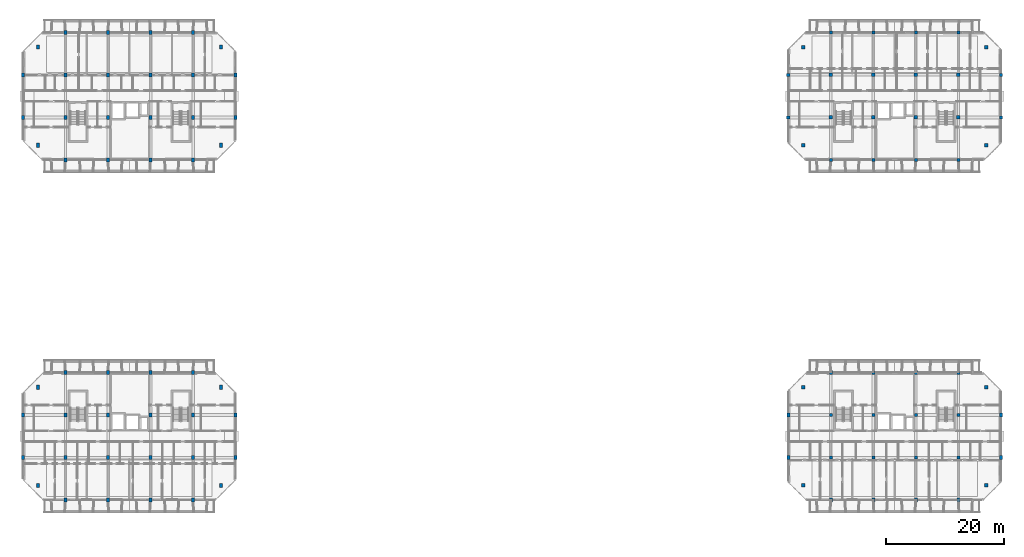
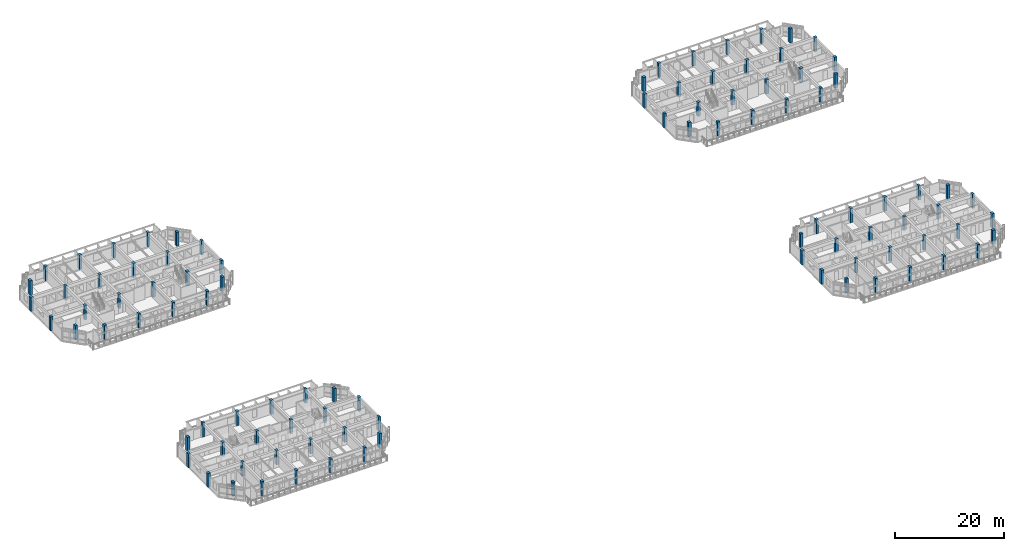
# One storey, part 1 of 43: 96 columns.
"""IFC4 building model written with IfcOpenShell, lengths in metres."""

from ifc_helpers import new_model, si_unit, direction, frame, origin, origin_2d, place, context, subcontext, project, spatial, rectangle, extrude, material, material_profile, profile_set, type_object, element, save


model = new_model("IFC4")

# Units and contexts
model_context = context("Model", 3, precision=1e-05, world=origin(), true_north=direction((0.0, 1.0)))
body_context = subcontext(model_context, "Body", "Model", "MODEL_VIEW")
ifc_project = project(units=[si_unit("LENGTHUNIT", "METRE"), si_unit("AREAUNIT", "SQUARE_METRE"), si_unit("VOLUMEUNIT", "CUBIC_METRE"), si_unit("PLANEANGLEUNIT", "RADIAN"), si_unit("MASSUNIT", "GRAM", prefix="KILO")], contexts=[model_context])

# Site, building, storey
site_placement = place(None, origin())
site = spatial("IfcSite", under=ifc_project, at=site_placement, CompositionType="ELEMENT")
building_placement = place(site_placement, origin())
building = spatial("IfcBuilding", under=site, at=building_placement, Name="Ochrevale Crest", CompositionType="ELEMENT")
storey_placement = place(building_placement, frame((0.0, 0.0, 15.0)))
storey = spatial("IfcBuildingStorey", under=building, at=storey_placement, Name="L04", CompositionType="ELEMENT", Elevation=15.0)

# Columns
ifc_material = material(Name="Precast concrete C50/60", Category="concrete")
ifc_material_profile_1 = material_profile(ifc_material, rectangle(XDim=0.5, YDim=0.64990234375, at=origin_2d()), Name="RC 500x650")
ifc_profile_set_1 = profile_set([ifc_material_profile_1], Name="Precast concrete C50/60")
column_type_1 = type_object("IfcColumnType", Name="COL-RC500x650", PredefinedType="COLUMN", material=ifc_profile_set_1)
for number, where, z_axis, x_axis, name in (
    (1, (0.0, 21.60009765625, 0.0), (0.0, 0.0, 1.0), (1.0, 0.0, 0.0), "Block A L04 column (0.0,21.6)"),
    (2, (0.0, 28.800048828125, 0.0), (0.0, 0.0, 1.0), (1.0, 0.0, 0.0), "Block A L04 column (0.0,28.8)"),
    (3, (7.199951171875, 14.39990234375, 0.0), (0.0, 0.0, 1.0), (1.0, 0.0, 0.0), "Block A L04 column (7.2,14.4)"),
    (4, (7.199951171875, 36.0, 0.0), (0.0, 0.0, 1.0), (1.0, 0.0, 0.0), "Block A L04 column (7.2,36.0)"),
    (5, (14.39990234375, 14.39990234375, 0.0), (0.0, 0.0, 1.0), (1.0, 0.0, 0.0), "Block A L04 column (14.4,14.4)"),
    (6, (14.39990234375, 36.0, 0.0), (0.0, 0.0, 1.0), (1.0, 0.0, 0.0), "Block A L04 column (14.4,36.0)"),
    (7, (21.60009765625, 14.39990234375, 0.0), (0.0, 0.0, 1.0), (1.0, 0.0, 0.0), "Block A L04 column (21.6,14.4)"),
    (8, (21.60009765625, 36.0, 0.0), (0.0, 0.0, 1.0), (1.0, 0.0, 0.0), "Block A L04 column (21.6,36.0)"),
    (9, (28.800048828125, 14.39990234375, 0.0), (0.0, 0.0, 1.0), (1.0, 0.0, 0.0), "Block A L04 column (28.8,14.4)"),
    (10, (28.800048828125, 36.0, 0.0), (0.0, 0.0, 1.0), (1.0, 0.0, 0.0), "Block A L04 column (28.8,36.0)"),
    (11, (36.0, 21.60009765625, 0.0), (0.0, 0.0, 1.0), (1.0, 0.0, 0.0), "Block A L04 column (36.0,21.6)"),
    (12, (36.0, 28.800048828125, 0.0), (0.0, 0.0, 1.0), (1.0, 0.0, 0.0), "Block A L04 column (36.0,28.8)"),
    (13, (0.0, 79.199951171875, 0.0), (0.0, 0.0, 1.0), (1.0, 0.0, 0.0), "Block B L04 column (0.0,79.2)"),
    (14, (0.0, 86.39990234375, 0.0), (0.0, 0.0, 1.0), (1.0, 0.0, 0.0), "Block B L04 column (0.0,86.4)"),
    (15, (7.199951171875, 72.0, 0.0), (0.0, 0.0, 1.0), (1.0, 0.0, 0.0), "Block B L04 column (7.2,72.0)"),
    (16, (7.199951171875, 93.60009765625, 0.0), (0.0, 0.0, 1.0), (1.0, 0.0, 0.0), "Block B L04 column (7.2,93.6)"),
    (17, (14.39990234375, 72.0, 0.0), (0.0, 0.0, 1.0), (1.0, 0.0, 0.0), "Block B L04 column (14.4,72.0)"),
    (18, (14.39990234375, 93.60009765625, 0.0), (0.0, 0.0, 1.0), (1.0, 0.0, 0.0), "Block B L04 column (14.4,93.6)"),
    (19, (21.60009765625, 72.0, 0.0), (0.0, 0.0, 1.0), (1.0, 0.0, 0.0), "Block B L04 column (21.6,72.0)"),
    (20, (21.60009765625, 93.60009765625, 0.0), (0.0, 0.0, 1.0), (1.0, 0.0, 0.0), "Block B L04 column (21.6,93.6)"),
    (21, (28.800048828125, 72.0, 0.0), (0.0, 0.0, 1.0), (1.0, 0.0, 0.0), "Block B L04 column (28.8,72.0)"),
    (22, (28.800048828125, 93.60009765625, 0.0), (0.0, 0.0, 1.0), (1.0, 0.0, 0.0), "Block B L04 column (28.8,93.6)"),
    (23, (36.0, 79.199951171875, 0.0), (0.0, 0.0, 1.0), (1.0, 0.0, 0.0), "Block B L04 column (36.0,79.2)"),
    (24, (36.0, 86.39990234375, 0.0), (0.0, 0.0, 1.0), (1.0, 0.0, 0.0), "Block B L04 column (36.0,86.4)"),
):
    element("IfcColumn", number, at=place(storey_placement, frame(where, z_axis=z_axis, x_axis=x_axis)), inside=storey, type_object=column_type_1, Name=name, PredefinedType="COLUMN", context=body_context, shape_type="SweptSolid", body=[
        extrude(rectangle(XDim=0.5, YDim=0.64990234375, at=origin_2d()), origin(), (0.0, 0.0, 1.0), 3.14990234375),
    ])
ifc_material_profile_2 = material_profile(ifc_material, rectangle(XDim=0.5, YDim=0.699951171875, at=origin_2d()), Name="RC 500x700")
ifc_profile_set_2 = profile_set([ifc_material_profile_2], Name="Precast concrete C50/60")
column_type_2 = type_object("IfcColumnType", Name="COL-RC500x700", PredefinedType="COLUMN", material=ifc_profile_set_2)
for number, where, z_axis, x_axis, name in (
    (25, (2.5, 16.89990234375, 0.0), (0.0, 0.0, 1.0), (1.0, 0.0, 0.0), "Block A L04 column (2.5,16.9)"),
    (26, (2.5, 33.5, 0.0), (0.0, 0.0, 1.0), (1.0, 0.0, 0.0), "Block A L04 column (2.5,33.5)"),
    (27, (7.199951171875, 21.60009765625, 0.0), (0.0, 0.0, 1.0), (1.0, 0.0, 0.0), "Block A L04 column (7.2,21.6)"),
    (28, (7.199951171875, 28.800048828125, 0.0), (0.0, 0.0, 1.0), (1.0, 0.0, 0.0), "Block A L04 column (7.2,28.8)"),
    (29, (14.39990234375, 21.60009765625, 0.0), (0.0, 0.0, 1.0), (1.0, 0.0, 0.0), "Block A L04 column (14.4,21.6)"),
    (30, (14.39990234375, 28.800048828125, 0.0), (0.0, 0.0, 1.0), (1.0, 0.0, 0.0), "Block A L04 column (14.4,28.8)"),
    (31, (21.60009765625, 21.60009765625, 0.0), (0.0, 0.0, 1.0), (1.0, 0.0, 0.0), "Block A L04 column (21.6,21.6)"),
    (32, (21.60009765625, 28.800048828125, 0.0), (0.0, 0.0, 1.0), (1.0, 0.0, 0.0), "Block A L04 column (21.6,28.8)"),
    (33, (28.800048828125, 21.60009765625, 0.0), (0.0, 0.0, 1.0), (1.0, 0.0, 0.0), "Block A L04 column (28.8,21.6)"),
    (34, (28.800048828125, 28.800048828125, 0.0), (0.0, 0.0, 1.0), (1.0, 0.0, 0.0), "Block A L04 column (28.8,28.8)"),
    (35, (33.5, 16.89990234375, 0.0), (0.0, 0.0, 1.0), (1.0, 0.0, 0.0), "Block A L04 column (33.5,16.9)"),
    (36, (33.5, 33.5, 0.0), (0.0, 0.0, 1.0), (1.0, 0.0, 0.0), "Block A L04 column (33.5,33.5)"),
    (37, (2.5, 74.5, 0.0), (0.0, 0.0, 1.0), (1.0, 0.0, 0.0), "Block B L04 column (2.5,74.5)"),
    (38, (2.5, 91.10009765625, 0.0), (0.0, 0.0, 1.0), (1.0, 0.0, 0.0), "Block B L04 column (2.5,91.1)"),
    (39, (7.199951171875, 79.199951171875, 0.0), (0.0, 0.0, 1.0), (1.0, 0.0, 0.0), "Block B L04 column (7.2,79.2)"),
    (40, (7.199951171875, 86.39990234375, 0.0), (0.0, 0.0, 1.0), (1.0, 0.0, 0.0), "Block B L04 column (7.2,86.4)"),
    (41, (14.39990234375, 79.199951171875, 0.0), (0.0, 0.0, 1.0), (1.0, 0.0, 0.0), "Block B L04 column (14.4,79.2)"),
    (42, (14.39990234375, 86.39990234375, 0.0), (0.0, 0.0, 1.0), (1.0, 0.0, 0.0), "Block B L04 column (14.4,86.4)"),
    (43, (21.60009765625, 79.199951171875, 0.0), (0.0, 0.0, 1.0), (1.0, 0.0, 0.0), "Block B L04 column (21.6,79.2)"),
    (44, (21.60009765625, 86.39990234375, 0.0), (0.0, 0.0, 1.0), (1.0, 0.0, 0.0), "Block B L04 column (21.6,86.4)"),
    (45, (28.800048828125, 79.199951171875, 0.0), (0.0, 0.0, 1.0), (1.0, 0.0, 0.0), "Block B L04 column (28.8,79.2)"),
    (46, (28.800048828125, 86.39990234375, 0.0), (0.0, 0.0, 1.0), (1.0, 0.0, 0.0), "Block B L04 column (28.8,86.4)"),
    (47, (33.5, 74.5, 0.0), (0.0, 0.0, 1.0), (1.0, 0.0, 0.0), "Block B L04 column (33.5,74.5)"),
    (48, (33.5, 91.10009765625, 0.0), (0.0, 0.0, 1.0), (1.0, 0.0, 0.0), "Block B L04 column (33.5,91.1)"),
    (49, (129.60009765625, 21.60009765625, 0.0), (0.0, 0.0, 1.0), (1.0, 0.0, 0.0), "Block C L04 column (129.6,21.6)"),
    (50, (129.60009765625, 28.800048828125, 0.0), (0.0, 0.0, 1.0), (1.0, 0.0, 0.0), "Block C L04 column (129.6,28.8)"),
    (51, (136.800048828125, 14.39990234375, 0.0), (0.0, 0.0, 1.0), (1.0, 0.0, 0.0), "Block C L04 column (136.8,14.4)"),
    (52, (136.800048828125, 36.0, 0.0), (0.0, 0.0, 1.0), (1.0, 0.0, 0.0), "Block C L04 column (136.8,36.0)"),
    (53, (144.0, 14.39990234375, 0.0), (0.0, 0.0, 1.0), (1.0, 0.0, 0.0), "Block C L04 column (144.0,14.4)"),
    (54, (144.0, 36.0, 0.0), (0.0, 0.0, 1.0), (1.0, 0.0, 0.0), "Block C L04 column (144.0,36.0)"),
    (55, (151.199951171875, 14.39990234375, 0.0), (0.0, 0.0, 1.0), (1.0, 0.0, 0.0), "Block C L04 column (151.2,14.4)"),
    (56, (151.199951171875, 36.0, 0.0), (0.0, 0.0, 1.0), (1.0, 0.0, 0.0), "Block C L04 column (151.2,36.0)"),
    (57, (158.39990234375, 14.39990234375, 0.0), (0.0, 0.0, 1.0), (1.0, 0.0, 0.0), "Block C L04 column (158.4,14.4)"),
    (58, (158.39990234375, 36.0, 0.0), (0.0, 0.0, 1.0), (1.0, 0.0, 0.0), "Block C L04 column (158.4,36.0)"),
    (59, (165.60009765625, 21.60009765625, 0.0), (0.0, 0.0, 1.0), (1.0, 0.0, 0.0), "Block C L04 column (165.6,21.6)"),
    (60, (165.60009765625, 28.800048828125, 0.0), (0.0, 0.0, 1.0), (1.0, 0.0, 0.0), "Block C L04 column (165.6,28.8)"),
):
    element("IfcColumn", number, at=place(storey_placement, frame(where, z_axis=z_axis, x_axis=x_axis)), inside=storey, type_object=column_type_2, Name=name, PredefinedType="COLUMN", context=body_context, shape_type="SweptSolid", body=[
        extrude(rectangle(XDim=0.5, YDim=0.699951171875, at=origin_2d()), origin(), (0.0, 0.0, 1.0), 3.14990234375),
    ])
ifc_material_profile_3 = material_profile(ifc_material, rectangle(XDim=0.550048828125, YDim=0.550048828125, at=origin_2d()), Name="RC 550x550")
ifc_profile_set_3 = profile_set([ifc_material_profile_3], Name="Precast concrete C50/60")
column_type_3 = type_object("IfcColumnType", Name="COL-RC550x550", PredefinedType="COLUMN", material=ifc_profile_set_3)
for number, where, z_axis, x_axis, name in (
    (61, (132.10009765625, 16.89990234375, 0.0), (0.0, 0.0, 1.0), (1.0, 0.0, 0.0), "Block C L04 column (132.1,16.9)"),
    (62, (132.10009765625, 33.5, 0.0), (0.0, 0.0, 1.0), (1.0, 0.0, 0.0), "Block C L04 column (132.1,33.5)"),
    (63, (136.800048828125, 21.60009765625, 0.0), (0.0, 0.0, 1.0), (1.0, 0.0, 0.0), "Block C L04 column (136.8,21.6)"),
    (64, (136.800048828125, 28.800048828125, 0.0), (0.0, 0.0, 1.0), (1.0, 0.0, 0.0), "Block C L04 column (136.8,28.8)"),
    (65, (144.0, 21.60009765625, 0.0), (0.0, 0.0, 1.0), (1.0, 0.0, 0.0), "Block C L04 column (144.0,21.6)"),
    (66, (144.0, 28.800048828125, 0.0), (0.0, 0.0, 1.0), (1.0, 0.0, 0.0), "Block C L04 column (144.0,28.8)"),
    (67, (151.199951171875, 21.60009765625, 0.0), (0.0, 0.0, 1.0), (1.0, 0.0, 0.0), "Block C L04 column (151.2,21.6)"),
    (68, (151.199951171875, 28.800048828125, 0.0), (0.0, 0.0, 1.0), (1.0, 0.0, 0.0), "Block C L04 column (151.2,28.8)"),
    (69, (158.39990234375, 21.60009765625, 0.0), (0.0, 0.0, 1.0), (1.0, 0.0, 0.0), "Block C L04 column (158.4,21.6)"),
    (70, (158.39990234375, 28.800048828125, 0.0), (0.0, 0.0, 1.0), (1.0, 0.0, 0.0), "Block C L04 column (158.4,28.8)"),
    (71, (163.10009765625, 16.89990234375, 0.0), (0.0, 0.0, 1.0), (1.0, 0.0, 0.0), "Block C L04 column (163.1,16.9)"),
    (72, (163.10009765625, 33.5, 0.0), (0.0, 0.0, 1.0), (1.0, 0.0, 0.0), "Block C L04 column (163.1,33.5)"),
    (73, (129.60009765625, 79.199951171875, 0.0), (0.0, 0.0, 1.0), (1.0, 0.0, 0.0), "Block D L04 column (129.6,79.2)"),
    (74, (129.60009765625, 86.39990234375, 0.0), (0.0, 0.0, 1.0), (1.0, 0.0, 0.0), "Block D L04 column (129.6,86.4)"),
    (75, (136.800048828125, 72.0, 0.0), (0.0, 0.0, 1.0), (1.0, 0.0, 0.0), "Block D L04 column (136.8,72.0)"),
    (76, (136.800048828125, 93.60009765625, 0.0), (0.0, 0.0, 1.0), (1.0, 0.0, 0.0), "Block D L04 column (136.8,93.6)"),
    (77, (144.0, 72.0, 0.0), (0.0, 0.0, 1.0), (1.0, 0.0, 0.0), "Block D L04 column (144.0,72.0)"),
    (78, (144.0, 93.60009765625, 0.0), (0.0, 0.0, 1.0), (1.0, 0.0, 0.0), "Block D L04 column (144.0,93.6)"),
    (79, (151.199951171875, 72.0, 0.0), (0.0, 0.0, 1.0), (1.0, 0.0, 0.0), "Block D L04 column (151.2,72.0)"),
    (80, (151.199951171875, 93.60009765625, 0.0), (0.0, 0.0, 1.0), (1.0, 0.0, 0.0), "Block D L04 column (151.2,93.6)"),
    (81, (158.39990234375, 72.0, 0.0), (0.0, 0.0, 1.0), (1.0, 0.0, 0.0), "Block D L04 column (158.4,72.0)"),
    (82, (158.39990234375, 93.60009765625, 0.0), (0.0, 0.0, 1.0), (1.0, 0.0, 0.0), "Block D L04 column (158.4,93.6)"),
    (83, (165.60009765625, 79.199951171875, 0.0), (0.0, 0.0, 1.0), (1.0, 0.0, 0.0), "Block D L04 column (165.6,79.2)"),
    (84, (165.60009765625, 86.39990234375, 0.0), (0.0, 0.0, 1.0), (1.0, 0.0, 0.0), "Block D L04 column (165.6,86.4)"),
):
    element("IfcColumn", number, at=place(storey_placement, frame(where, z_axis=z_axis, x_axis=x_axis)), inside=storey, type_object=column_type_3, Name=name, PredefinedType="COLUMN", context=body_context, shape_type="SweptSolid", body=[
        extrude(rectangle(XDim=0.550048828125, YDim=0.550048828125, at=origin_2d()), origin(), (0.0, 0.0, 1.0), 3.14990234375),
    ])
ifc_material_profile_4 = material_profile(ifc_material, rectangle(XDim=0.60009765625, YDim=0.60009765625, at=origin_2d()), Name="RC 600x600")
ifc_profile_set_4 = profile_set([ifc_material_profile_4], Name="Precast concrete C50/60")
column_type_4 = type_object("IfcColumnType", Name="COL-RC600x600", PredefinedType="COLUMN", material=ifc_profile_set_4)
for number, where, z_axis, x_axis, name in (
    (85, (132.10009765625, 74.5, 0.0), (0.0, 0.0, 1.0), (1.0, 0.0, 0.0), "Block D L04 column (132.1,74.5)"),
    (86, (132.10009765625, 91.10009765625, 0.0), (0.0, 0.0, 1.0), (1.0, 0.0, 0.0), "Block D L04 column (132.1,91.1)"),
    (87, (136.800048828125, 79.199951171875, 0.0), (0.0, 0.0, 1.0), (1.0, 0.0, 0.0), "Block D L04 column (136.8,79.2)"),
    (88, (136.800048828125, 86.39990234375, 0.0), (0.0, 0.0, 1.0), (1.0, 0.0, 0.0), "Block D L04 column (136.8,86.4)"),
    (89, (144.0, 79.199951171875, 0.0), (0.0, 0.0, 1.0), (1.0, 0.0, 0.0), "Block D L04 column (144.0,79.2)"),
    (90, (144.0, 86.39990234375, 0.0), (0.0, 0.0, 1.0), (1.0, 0.0, 0.0), "Block D L04 column (144.0,86.4)"),
    (91, (151.199951171875, 79.199951171875, 0.0), (0.0, 0.0, 1.0), (1.0, 0.0, 0.0), "Block D L04 column (151.2,79.2)"),
    (92, (151.199951171875, 86.39990234375, 0.0), (0.0, 0.0, 1.0), (1.0, 0.0, 0.0), "Block D L04 column (151.2,86.4)"),
    (93, (158.39990234375, 79.199951171875, 0.0), (0.0, 0.0, 1.0), (1.0, 0.0, 0.0), "Block D L04 column (158.4,79.2)"),
    (94, (158.39990234375, 86.39990234375, 0.0), (0.0, 0.0, 1.0), (1.0, 0.0, 0.0), "Block D L04 column (158.4,86.4)"),
    (95, (163.10009765625, 74.5, 0.0), (0.0, 0.0, 1.0), (1.0, 0.0, 0.0), "Block D L04 column (163.1,74.5)"),
    (96, (163.10009765625, 91.10009765625, 0.0), (0.0, 0.0, 1.0), (1.0, 0.0, 0.0), "Block D L04 column (163.1,91.1)"),
):
    element("IfcColumn", number, at=place(storey_placement, frame(where, z_axis=z_axis, x_axis=x_axis)), inside=storey, type_object=column_type_4, Name=name, PredefinedType="COLUMN", context=body_context, shape_type="SweptSolid", body=[
        extrude(rectangle(XDim=0.60009765625, YDim=0.60009765625, at=origin_2d()), origin(), (0.0, 0.0, 1.0), 3.14990234375),
    ])

save(model, "model.ifc")
